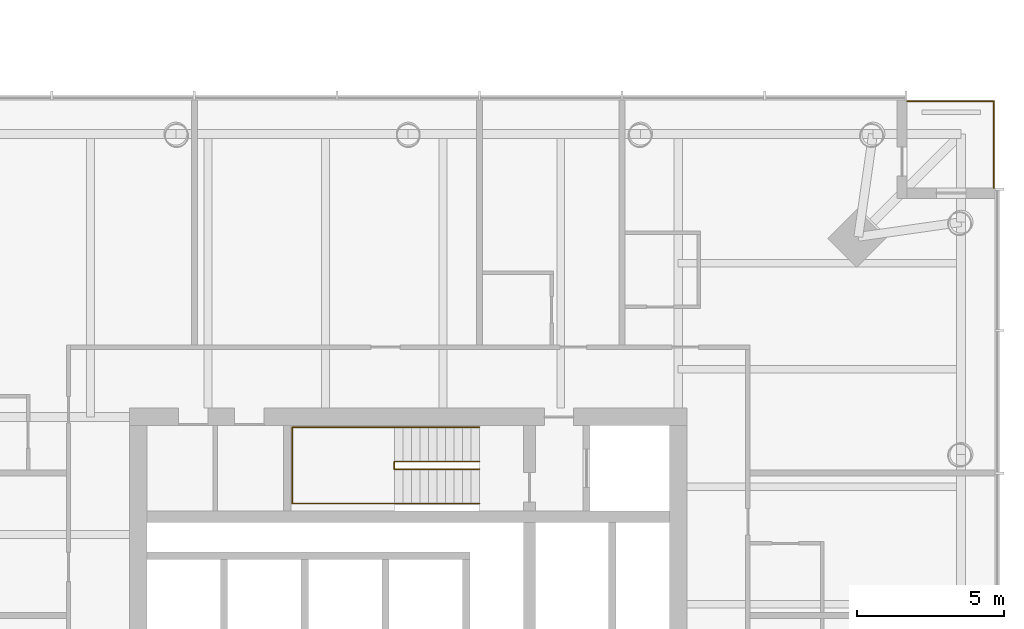
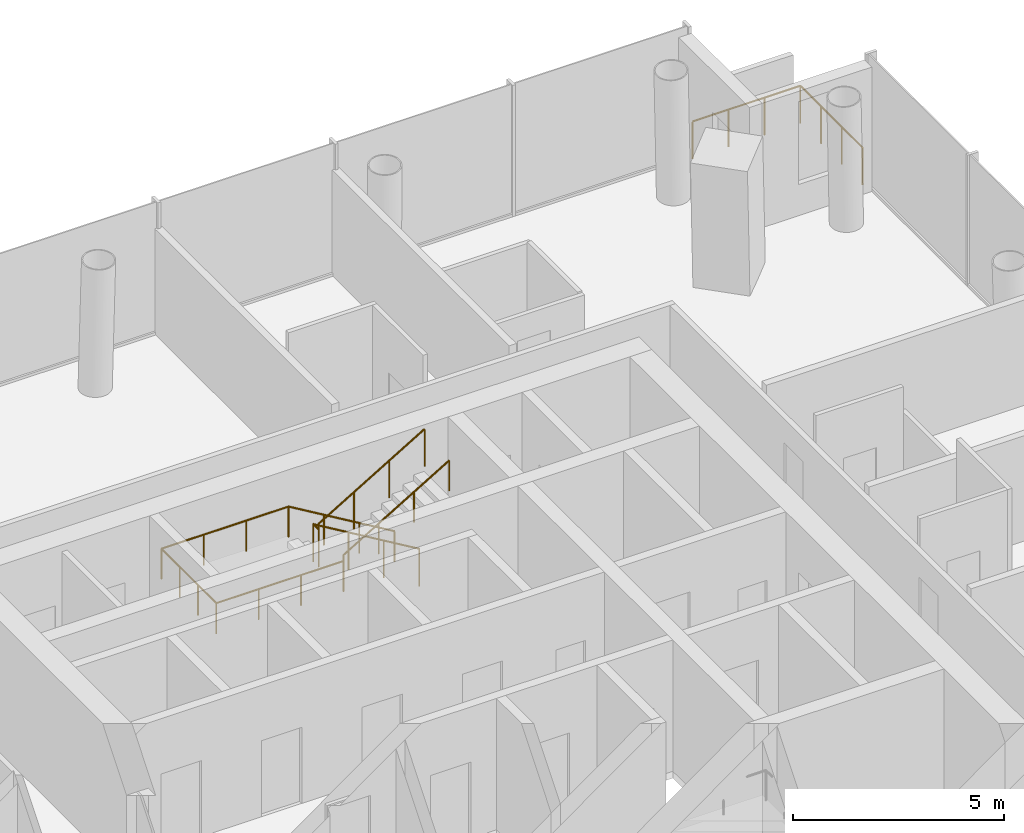
# One storey, part 19 of 19: 3 railings.
"""IFC4 building model written with IfcOpenShell, lengths in metres."""

import ifcopenshell
import ifcopenshell.guid

model = None  # the IFC model being written
_history = None  # IfcOwnerHistory: only IFC2X3 demands one
_inside = {}  # id of a spatial element -> (the spatial element, [elements in it])
_under = {}  # id of a project, library or spatial element -> (it, [spatial elements below it])
_declared = {}  # id of a project -> (the project, [libraries it declares])
_typed = {}  # id of a type object -> (the type object, [elements of that type])
_made_of = {}  # id of a material, layer set ... -> (it, [elements and type objects made of it])


def new_model(schema):
    """Start an empty IFC model of exactly this schema.

    Asked for "IFC4X3", IfcOpenShell would pick the latest addendum, in which some entities
    have other attributes; the version numbers below select the first issue.
    IFC2X3 requires an IfcOwnerHistory on every rooted entity: one is made here for all.
    """
    global model, _history
    if schema == "IFC4X3":
        model = ifcopenshell.file(schema_version=(4, 3, 0, 0))
    else:
        model = ifcopenshell.file(schema=schema)
    _inside.clear()
    _under.clear()
    _declared.clear()
    _typed.clear()
    _made_of.clear()
    _history = None
    if model.schema == "IFC2X3":
        org = make("IfcOrganization", Name="unknown")
        user = make(
            "IfcPersonAndOrganization",
            ThePerson=make("IfcPerson", FamilyName="unknown"),
            TheOrganization=org,
        )
        app = make(
            "IfcApplication",
            ApplicationDeveloper=org,
            Version="unknown",
            ApplicationFullName="unknown",
            ApplicationIdentifier="unknown",
        )
        _history = make(
            "IfcOwnerHistory",
            OwningUser=user,
            OwningApplication=app,
            ChangeAction="ADDED",
            CreationDate=0,
        )
    return model


def make(cls, **values):
    """One entity of the class cls with the attributes given. An attribute that is None is left unset."""
    return model.create_entity(
        cls, **{name: value for name, value in values.items() if value is not None}
    )


def rooted(cls, **values):
    """An entity with a GlobalId (a new one), such as an element, a storey or a relation."""
    return make(cls, GlobalId=ifcopenshell.guid.new(), OwnerHistory=_history, **values)


def si_unit(unit_type, name, prefix=None):
    """IfcSIUnit, for example si_unit("LENGTHUNIT", "METRE", prefix="MILLI")."""
    return make("IfcSIUnit", UnitType=unit_type, Prefix=prefix, Name=name)


def assignment(units):
    """IfcUnitAssignment: the units of a project."""
    return None if units is None else make("IfcUnitAssignment", Units=units)


def point(xyz):
    """IfcCartesianPoint."""
    return None if xyz is None else make("IfcCartesianPoint", Coordinates=xyz)


def direction(xyz):
    """IfcDirection."""
    return None if xyz is None else make("IfcDirection", DirectionRatios=xyz)


def frame(location, z_axis=None, x_axis=None):
    """IfcAxis2Placement3D, a coordinate frame: its origin and axes. An axis left out is left unset."""
    return make(
        "IfcAxis2Placement3D",
        Location=point(location),
        Axis=direction(z_axis),
        RefDirection=direction(x_axis),
    )


def frame_2d(location, x_axis=None):
    """IfcAxis2Placement2D, a coordinate frame in the plane: its origin and x axis."""
    return make(
        "IfcAxis2Placement2D", Location=point(location), RefDirection=direction(x_axis)
    )


def origin():
    """The frame at (0, 0, 0) with its axes left unset."""
    return frame((0.0, 0.0, 0.0))


def origin_2d():
    """The frame at (0, 0) in the plane with its x axis left unset."""
    return frame_2d((0.0, 0.0))


def place(relative_to, where):
    """IfcLocalPlacement: puts the frame where relative to a parent placement (None: the world)."""
    return make(
        "IfcLocalPlacement", PlacementRelTo=relative_to, RelativePlacement=where
    )


def context(
    kind, dimensions, precision=None, world=None, true_north=None, identifier=None
):
    """IfcGeometricRepresentationContext, for example the 3D "Model" context."""
    return make(
        "IfcGeometricRepresentationContext",
        ContextIdentifier=identifier,
        ContextType=kind,
        CoordinateSpaceDimension=dimensions,
        Precision=precision,
        WorldCoordinateSystem=world,
        TrueNorth=true_north,
    )


def subcontext(parent, identifier, kind, view, scale=None):
    """IfcGeometricRepresentationSubContext, for example "Body" below "Model"."""
    return make(
        "IfcGeometricRepresentationSubContext",
        ContextIdentifier=identifier,
        ContextType=kind,
        ParentContext=parent,
        TargetScale=scale,
        TargetView=view,
    )


def project(units=None, contexts=None):
    """IfcProject with its units and contexts."""
    return rooted(
        "IfcProject",
        Name="project",
        RepresentationContexts=contexts,
        UnitsInContext=assignment(units),
    )


def spatial(cls, under=None, at=None, **own):
    """A site, building, storey or space (cls), placed at a placement, below another one or the project."""
    s = rooted(cls, ObjectPlacement=at, **own)
    if under is not None:
        _under.setdefault(under.id(), (under, []))[1].append(s)
    return s


def profile(cls, at=None, kind="AREA", **sizes):
    """A parametric profile (cls). Its sizes go by their IFC names, for example OverallWidth=200.0."""
    return make(cls, ProfileType=kind, Position=at, **sizes)


def circle(**sizes):
    """IfcCircleProfileDef."""
    return profile("IfcCircleProfileDef", **sizes)


def extrude(swept, where, along, depth):
    """IfcExtrudedAreaSolid: the profile swept, set in the frame where, extruded along a direction by depth."""
    return make(
        "IfcExtrudedAreaSolid",
        SweptArea=swept,
        Position=where,
        ExtrudedDirection=direction(along),
        Depth=depth,
    )


def shape(context_of_items, identifier, shape_type, items):
    """IfcShapeRepresentation: the items that make up one representation, for example the "Body"."""
    return make(
        "IfcShapeRepresentation",
        ContextOfItems=context_of_items,
        RepresentationIdentifier=identifier,
        RepresentationType=shape_type,
        Items=items,
    )


def material(Name=None, Category=None):
    """IfcMaterial."""
    return make("IfcMaterial", Name=Name, Category=Category)


def made_of(thing, what):
    """Note that an element or type object is made of a material, layer set ...; save() writes the relation."""
    if what is not None:
        _made_of.setdefault(what.id(), (what, []))[1].append(thing)
    return thing


def type_object(cls, material=None, **own):
    """A type object (cls), such as IfcWallType, which elements share."""
    return made_of(rooted(cls, **own), material)


def element(
    cls,
    number,
    at=None,
    inside=None,
    cuts=None,
    type_object=None,
    material=None,
    context=None,
    identifier="Body",
    shape_type=None,
    held_by="IfcProductDefinitionShape",
    body=None,
    shapes=None,
    **own,
):
    """One element of the class cls, such as IfcWall. Its Tag is "e" and its number.

    at: its placement. inside: the storey or other place that contains it. cuts: it is an
    opening in that element (IfcRelVoidsElement). A single representation is given by context,
    identifier, shape_type and body (its items); several are given by shapes. held_by: the class
    of the entity that holds the representations. save() writes the other relations.
    """
    e = rooted(cls, Tag="e%d" % number, ObjectPlacement=at, **own)
    if body is not None:
        shapes = [shape(context, identifier, shape_type, body)]
    if shapes is not None:
        e.Representation = make(held_by, Representations=shapes)
    if inside is not None:
        _inside.setdefault(inside.id(), (inside, []))[1].append(e)
    if cuts is not None:
        rooted(
            "IfcRelVoidsElement", RelatingBuildingElement=cuts, RelatedOpeningElement=e
        )
    if type_object is not None:
        _typed.setdefault(type_object.id(), (type_object, []))[1].append(e)
    return made_of(e, material)


def aggregate(whole, parts):
    """IfcRelAggregates: a whole, such as a stair, and the parts it consists of."""
    return rooted("IfcRelAggregates", RelatingObject=whole, RelatedObjects=parts)


def save(model, path):
    """Write the relations noted so far, then the file.

    IfcRelAggregates (storeys below a building ...), IfcRelContainedInSpatialStructure (elements
    in a storey), IfcRelDefinesByType, IfcRelAssociatesMaterial and IfcRelDeclares: one each for
    every whole, place, type object, material and project.
    """
    for whole, parts in _under.values():
        aggregate(whole, parts)
    for where, things in _inside.values():
        rooted(
            "IfcRelContainedInSpatialStructure",
            RelatedElements=things,
            RelatingStructure=where,
        )
    for kind, things in _typed.values():
        rooted("IfcRelDefinesByType", RelatedObjects=things, RelatingType=kind)
    for what, things in _made_of.values():
        rooted("IfcRelAssociatesMaterial", RelatedObjects=things, RelatingMaterial=what)
    for by, libraries in _declared.values():
        rooted("IfcRelDeclares", RelatingContext=by, RelatedDefinitions=libraries)
    model.write(path)


model = new_model("IFC4")

# Units and contexts
model_context = context("Model", 3, precision=1e-05, world=origin(), true_north=direction((0.0, 1.0)))
body_context = subcontext(model_context, "Body", "Model", "MODEL_VIEW")
ifc_project = project(units=[si_unit("LENGTHUNIT", "METRE"), si_unit("AREAUNIT", "SQUARE_METRE"), si_unit("VOLUMEUNIT", "CUBIC_METRE"), si_unit("PLANEANGLEUNIT", "RADIAN"), si_unit("MASSUNIT", "GRAM", prefix="KILO")], contexts=[model_context])

# Site, building, storey
site_placement = place(None, origin())
site = spatial("IfcSite", under=ifc_project, at=site_placement, CompositionType="ELEMENT")
building_placement = place(site_placement, origin())
building = spatial("IfcBuilding", under=site, at=building_placement, Name="Ostroluk Exchange", CompositionType="ELEMENT")
storey_placement = place(building_placement, frame((0.0, 0.0, 24.800048828125)))
storey = spatial("IfcBuildingStorey", under=building, at=storey_placement, Name="L05", CompositionType="ELEMENT", Elevation=24.800048828125)

# Railings
ifc_material_1 = material(Name="Stainless steel", Category="steel")
railing_type_1 = type_object("IfcRailingType", Name="Guard 1100 stainless steel", PredefinedType="GUARDRAIL", material=ifc_material_1)
railing_1_placement = place(storey_placement, frame((134.0, 65.949951171875, 0.0)))
element("IfcRailing", 1, at=railing_1_placement, inside=storey, type_object=railing_type_1, Name="Hotel tower NE balcony guard L05", PredefinedType="GUARDRAIL", context=body_context, shape_type="SweptSolid", body=[
    extrude(circle(Radius=0.02392578125, at=origin_2d()), frame((0.0, 0.0, 1.076171875), z_axis=(1.0, 0.0, 0.0), x_axis=(0.0, 1.0, 0.0)), (0.0, 0.0, 1.0), 2.949951171875),
    extrude(circle(Radius=0.02392578125, at=origin_2d()), frame((2.949951171875, 0.0, 1.076171875), z_axis=(0.0, -1.0, 0.0), x_axis=(1.0, 0.0, 0.0)), (0.0, 0.0, 1.0), 2.949951171875),
    extrude(circle(Radius=0.02099609375, at=origin_2d()), origin(), (0.0, 0.0, 1.0), 1.052001953125),
    extrude(circle(Radius=0.02099609375, at=origin_2d()), frame((0.9833984375, 0.0, 0.0)), (0.0, 0.0, 1.0), 1.052001953125),
    extrude(circle(Radius=0.02099609375, at=origin_2d()), frame((1.966552734375, 0.0, 0.0)), (0.0, 0.0, 1.0), 1.052001953125),
    extrude(circle(Radius=0.02099609375, at=origin_2d()), frame((2.949951171875, 0.0, 0.0)), (0.0, 0.0, 1.0), 1.052001953125),
    extrude(circle(Radius=0.02099609375, at=origin_2d()), frame((2.949951171875, -0.9833984375, 0.0)), (0.0, 0.0, 1.0), 1.052001953125),
    extrude(circle(Radius=0.02099609375, at=origin_2d()), frame((2.949951171875, -1.966552734375, 0.0)), (0.0, 0.0, 1.0), 1.052001953125),
    extrude(circle(Radius=0.02099609375, at=origin_2d()), frame((2.949951171875, -2.949951171875, 0.0)), (0.0, 0.0, 1.0), 1.052001953125),
])
ifc_material_2 = material(Name="Steel S355", Category="steel")
railing_type_2 = type_object("IfcRailingType", Name="Stair guard 1100", PredefinedType="GUARDRAIL", material=ifc_material_2)
railing_2_placement = place(storey_placement, frame((119.429931640625, 53.679931640625, 0.172607421875)))
element("IfcRailing", 2, at=railing_2_placement, inside=storey, type_object=railing_type_2, Name="Stair T2-S2 guard L05", PredefinedType="GUARDRAIL", context=body_context, shape_type="SweptSolid", body=[
    extrude(circle(Radius=0.02392578125, at=origin_2d()), frame((0.0, 0.0, 1.076171875), z_axis=(-0.859141464434, 0.0, 0.511738159696), x_axis=(0.0, -1.0, 0.0)), (0.0, 0.0, 1.0), 3.375244140625),
    extrude(circle(Radius=0.02392578125, at=origin_2d()), frame((-2.89990234375, 0.0, 2.80322265625), z_axis=(0.0, -1.0, 0.0), x_axis=(1.0, 0.0, 0.0)), (0.0, 0.0, 1.0), 0.260009765625),
    extrude(circle(Radius=0.02392578125, at=origin_2d()), frame((-2.89990234375, -0.260009765625, 2.80322265625), z_axis=(0.0, 0.0, 1.0), x_axis=(1.0, 0.0, 0.0)), (0.0, 0.0, 1.0), 0.1728515625),
    extrude(circle(Radius=0.02392578125, at=origin_2d()), frame((-2.89990234375, -0.260009765625, 2.97607421875), z_axis=(0.859141464434, 0.0, 0.511738159696), x_axis=(0.0, 1.0, 0.0)), (0.0, 0.0, 1.0), 3.375244140625),
    extrude(circle(Radius=0.02099609375, at=origin_2d()), origin(), (0.0, 0.0, 1.0), 1.052001953125),
    extrude(circle(Radius=0.02099609375, at=origin_2d()), frame((-0.966552734375, 0.0, 0.57568359375)), (0.0, 0.0, 1.0), 1.052001953125),
    extrude(circle(Radius=0.02099609375, at=origin_2d()), frame((-1.933349609375, 0.0, 1.151611328125)), (0.0, 0.0, 1.0), 1.052001953125),
    extrude(circle(Radius=0.02099609375, at=origin_2d()), frame((-2.89990234375, 0.0, 1.727294921875)), (0.0, 0.0, 1.0), 1.052001953125),
    extrude(circle(Radius=0.02099609375, at=origin_2d()), frame((-2.89990234375, -0.260009765625, 1.727294921875)), (0.0, 0.0, 1.0), 1.052001953125),
    extrude(circle(Radius=0.02099609375, at=origin_2d()), frame((-2.89990234375, -0.260009765625, 1.900146484375)), (0.0, 0.0, 1.0), 1.052001953125),
    extrude(circle(Radius=0.02099609375, at=origin_2d()), frame((-1.933349609375, -0.260009765625, 2.475830078125)), (0.0, 0.0, 1.0), 1.052001953125),
    extrude(circle(Radius=0.02099609375, at=origin_2d()), frame((-0.966552734375, -0.260009765625, 3.0517578125)), (0.0, 0.0, 1.0), 1.052001953125),
    extrude(circle(Radius=0.02099609375, at=origin_2d()), frame((0.0, -0.260009765625, 3.62744140625)), (0.0, 0.0, 1.0), 1.052001953125),
])
ifc_material_3 = material(Name="Stainless steel", Category="steel")
railing_type_3 = type_object("IfcRailingType", Name="Stair handrail 900", PredefinedType="HANDRAIL", material=ifc_material_3)
railing_3_placement = place(storey_placement, frame((119.429931640625, 54.85009765625, 0.172607421875)))
element("IfcRailing", 3, at=railing_3_placement, inside=storey, type_object=railing_type_3, Name="Stair T2-S2 handrail L05", PredefinedType="HANDRAIL", context=body_context, shape_type="SweptSolid", body=[
    extrude(circle(Radius=0.02392578125, at=origin_2d()), frame((0.0, 0.0, 0.8759765625), z_axis=(-0.859141464434, 0.0, 0.511738159696), x_axis=(0.0, -1.0, 0.0)), (0.0, 0.0, 1.0), 3.375244140625),
    extrude(circle(Radius=0.02392578125, at=origin_2d()), frame((-2.89990234375, 0.0, 2.60302734375), z_axis=(-1.0, 0.0, 0.0), x_axis=(0.0, -1.0, 0.0)), (0.0, 0.0, 1.0), 3.47998046875),
    extrude(circle(Radius=0.02392578125, at=origin_2d()), frame((-6.3798828125, 0.0, 2.60302734375), z_axis=(0.0, -1.0, 0.0), x_axis=(1.0, 0.0, 0.0)), (0.0, 0.0, 1.0), 2.60009765625),
    extrude(circle(Radius=0.02392578125, at=origin_2d()), frame((-6.3798828125, -2.60009765625, 2.60302734375), z_axis=(1.0, 0.0, 0.0), x_axis=(0.0, 1.0, 0.0)), (0.0, 0.0, 1.0), 3.47998046875),
    extrude(circle(Radius=0.02392578125, at=origin_2d()), frame((-2.89990234375, -2.60009765625, 2.60302734375), z_axis=(0.0, 0.0, 1.0), x_axis=(1.0, 0.0, 0.0)), (0.0, 0.0, 1.0), 0.1728515625),
    extrude(circle(Radius=0.02392578125, at=origin_2d()), frame((-2.89990234375, -2.60009765625, 2.77587890625), z_axis=(0.859141464434, 0.0, 0.511738159696), x_axis=(0.0, 1.0, 0.0)), (0.0, 0.0, 1.0), 3.375244140625),
    extrude(circle(Radius=0.02099609375, at=origin_2d()), origin(), (0.0, 0.0, 1.0), 0.851806640625),
    extrude(circle(Radius=0.02099609375, at=origin_2d()), frame((-0.966552734375, 0.0, 0.57568359375)), (0.0, 0.0, 1.0), 0.851806640625),
    extrude(circle(Radius=0.02099609375, at=origin_2d()), frame((-1.933349609375, 0.0, 1.151611328125)), (0.0, 0.0, 1.0), 0.851806640625),
    extrude(circle(Radius=0.02099609375, at=origin_2d()), frame((-2.89990234375, 0.0, 1.727294921875)), (0.0, 0.0, 1.0), 0.851806640625),
    extrude(circle(Radius=0.02099609375, at=origin_2d()), frame((-4.059814453125, 0.0, 1.727294921875)), (0.0, 0.0, 1.0), 0.851806640625),
    extrude(circle(Radius=0.02099609375, at=origin_2d()), frame((-5.219970703125, 0.0, 1.727294921875)), (0.0, 0.0, 1.0), 0.851806640625),
    extrude(circle(Radius=0.02099609375, at=origin_2d()), frame((-6.3798828125, 0.0, 1.727294921875)), (0.0, 0.0, 1.0), 0.851806640625),
    extrude(circle(Radius=0.02099609375, at=origin_2d()), frame((-6.3798828125, -0.86669921875, 1.727294921875)), (0.0, 0.0, 1.0), 0.851806640625),
    extrude(circle(Radius=0.02099609375, at=origin_2d()), frame((-6.3798828125, -1.7333984375, 1.727294921875)), (0.0, 0.0, 1.0), 0.851806640625),
    extrude(circle(Radius=0.02099609375, at=origin_2d()), frame((-6.3798828125, -2.60009765625, 1.727294921875)), (0.0, 0.0, 1.0), 0.851806640625),
    extrude(circle(Radius=0.02099609375, at=origin_2d()), frame((-5.219970703125, -2.60009765625, 1.727294921875)), (0.0, 0.0, 1.0), 0.851806640625),
    extrude(circle(Radius=0.02099609375, at=origin_2d()), frame((-4.059814453125, -2.60009765625, 1.727294921875)), (0.0, 0.0, 1.0), 0.851806640625),
    extrude(circle(Radius=0.02099609375, at=origin_2d()), frame((-2.89990234375, -2.60009765625, 1.727294921875)), (0.0, 0.0, 1.0), 0.851806640625),
    extrude(circle(Radius=0.02099609375, at=origin_2d()), frame((-2.89990234375, -2.60009765625, 1.900146484375)), (0.0, 0.0, 1.0), 0.851806640625),
    extrude(circle(Radius=0.02099609375, at=origin_2d()), frame((-1.933349609375, -2.60009765625, 2.475830078125)), (0.0, 0.0, 1.0), 0.851806640625),
    extrude(circle(Radius=0.02099609375, at=origin_2d()), frame((-0.966552734375, -2.60009765625, 3.0517578125)), (0.0, 0.0, 1.0), 0.851806640625),
    extrude(circle(Radius=0.02099609375, at=origin_2d()), frame((0.0, -2.60009765625, 3.62744140625)), (0.0, 0.0, 1.0), 0.851806640625),
])

save(model, "model.ifc")
